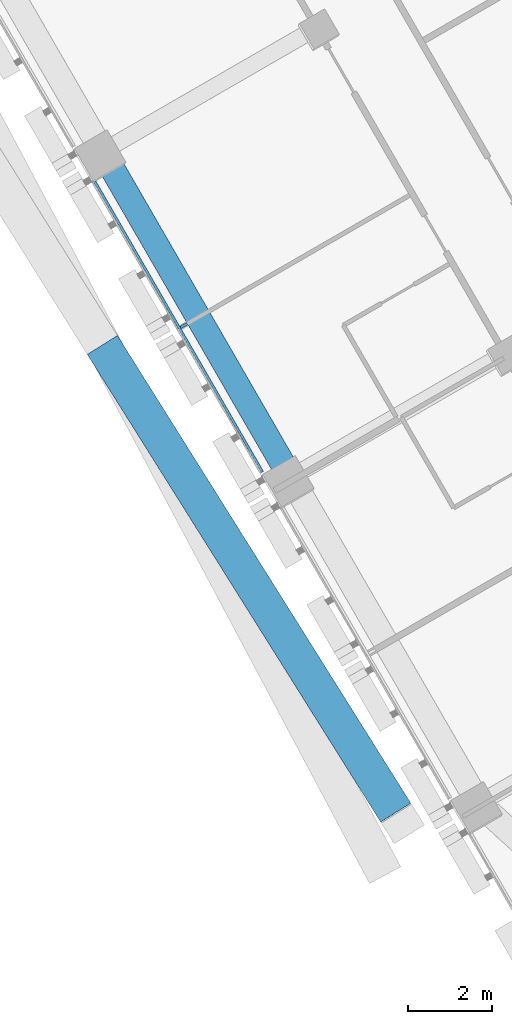
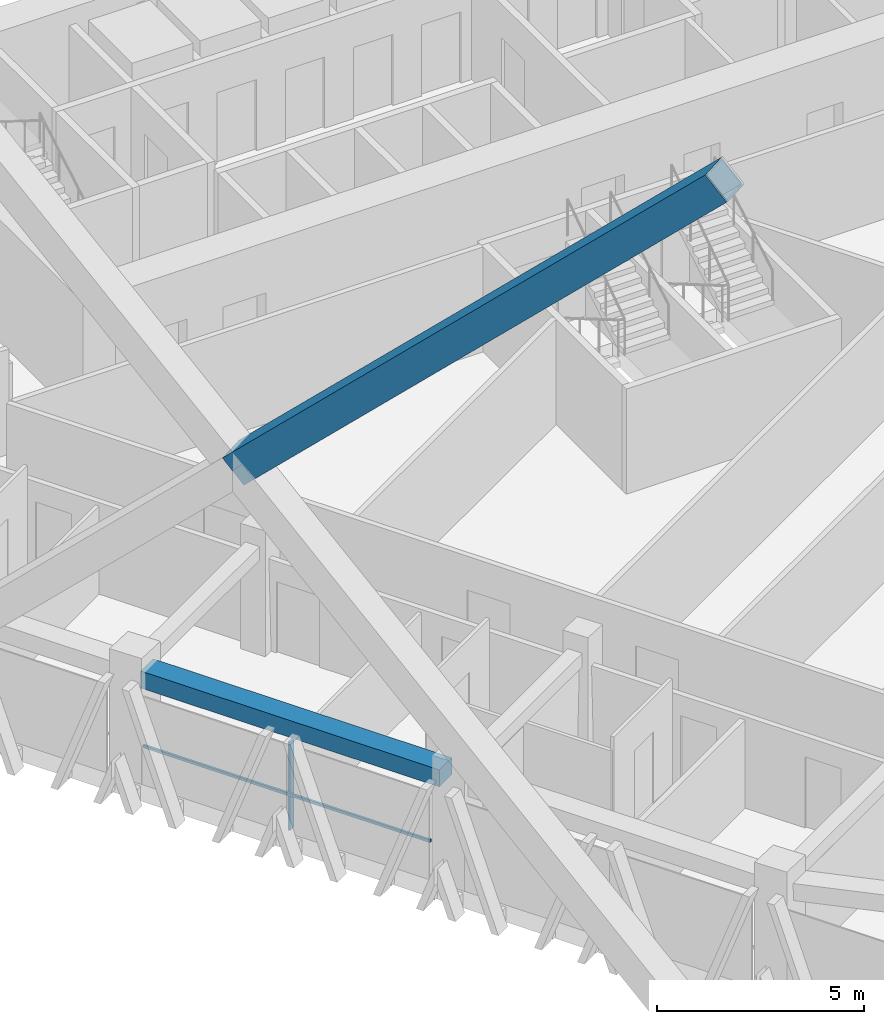
# One storey, part 3 of 19: 3 members, 1 beam, 1 element without a shape of its own.
"""IFC4 building model written with IfcOpenShell, lengths in metres."""

from ifc_helpers import new_model, si_unit, direction, frame, origin, origin_2d, place, context, subcontext, project, spatial, rectangle, hollow_rectangle, extrude, material, layer, layer_set, material_profile, profile_set, type_object, element, aggregate, save


model = new_model("IFC4")

# Units and contexts
model_context = context("Model", 3, precision=1e-05, world=origin(), true_north=direction((0.0, 1.0)))
body_context = subcontext(model_context, "Body", "Model", "MODEL_VIEW")
ifc_project = project(units=[si_unit("LENGTHUNIT", "METRE"), si_unit("AREAUNIT", "SQUARE_METRE"), si_unit("VOLUMEUNIT", "CUBIC_METRE"), si_unit("PLANEANGLEUNIT", "RADIAN"), si_unit("MASSUNIT", "GRAM", prefix="KILO")], contexts=[model_context])

# Site, building, storey
site_placement = place(None, origin())
site = spatial("IfcSite", under=ifc_project, at=site_placement, CompositionType="ELEMENT")
building_placement = place(site_placement, origin())
building = spatial("IfcBuilding", under=site, at=building_placement, Name="Altiplano Prism Tower", CompositionType="ELEMENT")
storey_placement = place(building_placement, frame((0.0, 0.0, 70.199951171875)))
storey = spatial("IfcBuildingStorey", under=building, at=storey_placement, Name="L17", CompositionType="ELEMENT", Elevation=70.199951171875)

# Curtain wall, members
ifc_material_1 = material(Name="Aluminium and glass", Category="aluminium")
ifc_layer = layer(ifc_material_1, 0.280029296875)
ifc_layer_set = layer_set([ifc_layer], Name="Aluminium and glass")
curtain_wall_type = type_object("IfcCurtainWallType", Name="CW1 typical co-living unitised curtain wall", PredefinedType="NOTDEFINED", material=ifc_layer_set)
curtain_wall_placement = place(storey_placement, origin())
curtain_wall = element("IfcCurtainWall", 1, at=curtain_wall_placement, inside=storey, type_object=curtain_wall_type, Name="CW1 curtain wall south-west face L17", PredefinedType="NOTDEFINED")
ifc_material_2 = material(Name="Aluminium", Category="aluminium")
ifc_material_profile_1 = material_profile(ifc_material_2, rectangle(XDim=0.179931640625, YDim=0.06494140625, at=origin_2d()), Name="CW1 mullion 65 x 180")
ifc_profile_set_1 = profile_set([ifc_material_profile_1], Name="Aluminium")
member_type_1 = type_object("IfcMemberType", Name="CW1 mullion 65 x 180", PredefinedType="MULLION", material=ifc_profile_set_1)
member_1_placement = place(storey_placement, frame((67.93798828125, 75.257568359375, 0.0), z_axis=(0.0, 0.0, 1.0), x_axis=(0.86602540313, 0.500000001134, 0.0)))
member_1 = element("IfcMember", 2, at=member_1_placement, type_object=member_type_1, Name="CW1 mullion", PredefinedType="MULLION", context=body_context, shape_type="SweptSolid", body=[
    extrude(rectangle(XDim=0.179931640625, YDim=0.06494140625, at=origin_2d()), origin(), (0.0, 0.0, 1.0), 2.60009765625),
])
ifc_material_profile_2 = material_profile(ifc_material_2, rectangle(XDim=0.06005859375, YDim=0.080078125, at=origin_2d()), Name="CW1 transom 80 x 60")
ifc_profile_set_2 = profile_set([ifc_material_profile_2], Name="Aluminium")
member_type_2 = type_object("IfcMemberType", Name="CW1 transom 80 x 60", PredefinedType="USERDEFINED", material=ifc_profile_set_2)
member_2_placement = place(storey_placement, frame((65.809326171875, 78.704345703125, 1.10009765625), z_axis=(0.500012318566, -0.86601829154, 0.0), x_axis=(0.86601829154, 0.500012318566, 0.0)))
member_2 = element("IfcMember", 3, at=member_2_placement, type_object=member_type_2, Name="CW1 transom", ObjectType="TRANSOM", PredefinedType="USERDEFINED", context=body_context, shape_type="SweptSolid", body=[
    extrude(rectangle(XDim=0.06005859375, YDim=0.080078125, at=origin_2d()), origin(), (0.0, 0.0, 1.0), 8.019775390625),
])
aggregate(curtain_wall, [member_1, member_2])

# Beam
ifc_material_3 = material(Name="Concrete C60/75", Category="concrete")
ifc_material_profile_3 = material_profile(ifc_material_3, rectangle(XDim=0.60009765625, YDim=0.5, at=origin_2d()), Name="Edge beam 600x500")
ifc_profile_set_3 = profile_set([ifc_material_profile_3], Name="Concrete C60/75")
beam_type = type_object("IfcBeamType", Name="Edge beam 600x500", PredefinedType="SPANDREL", material=ifc_profile_set_3)
beam_placement = place(storey_placement, frame((66.157958984375, 79.137451171875, 2.85009765625), z_axis=(0.500014701701, -0.866016915587, 0.0), x_axis=(0.866016915587, 0.500014701701, 0.0)))
element("IfcBeam", 4, at=beam_placement, inside=storey, type_object=beam_type, Name="Edge beam P12-P13 L18", PredefinedType="SPANDREL", context=body_context, shape_type="SweptSolid", body=[
    extrude(rectangle(XDim=0.60009765625, YDim=0.5, at=origin_2d()), origin(), (0.0, 0.0, 1.0), 8.340087890625),
])

# Member
ifc_material_4 = material(Name="Steel S355", Category="steel")
ifc_material_profile_4 = material_profile(ifc_material_4, hollow_rectangle(XDim=0.85009765625, YDim=0.85009765625, WallThickness=0.0400390625, at=origin_2d()), Name="Mega brace Box 850x850x40")
ifc_profile_set_4 = profile_set([ifc_material_profile_4], Name="Steel S355")
member_type_3 = type_object("IfcMemberType", Name="Mega brace Box 850x850x40", PredefinedType="BRACE", material=ifc_profile_set_4)
member_3_placement = place(storey_placement, frame((66.14794921875, 74.54736328125, 11.85009765625), z_axis=(0.383349248631, -0.611087948508, 0.69254232561), x_axis=(0.847112872125, 0.531413004997, 0.0)))
element("IfcMember", 5, at=member_3_placement, inside=storey, type_object=member_type_3, Name="Mega brace 2.1.2", PredefinedType="BRACE", context=body_context, shape_type="SweptSolid", body=[
    extrude(hollow_rectangle(XDim=0.85009765625, YDim=0.85009765625, WallThickness=0.0400390625, at=origin_2d()), origin(), (0.0, 0.0, 1.0), 18.29833984375),
])

save(model, "model.ifc")
